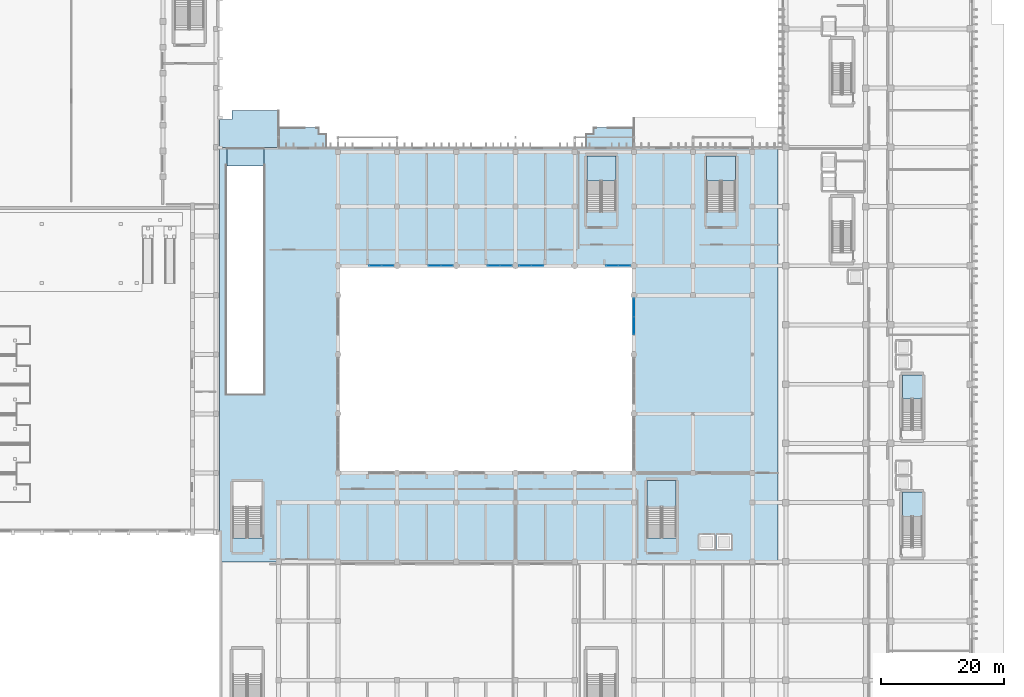
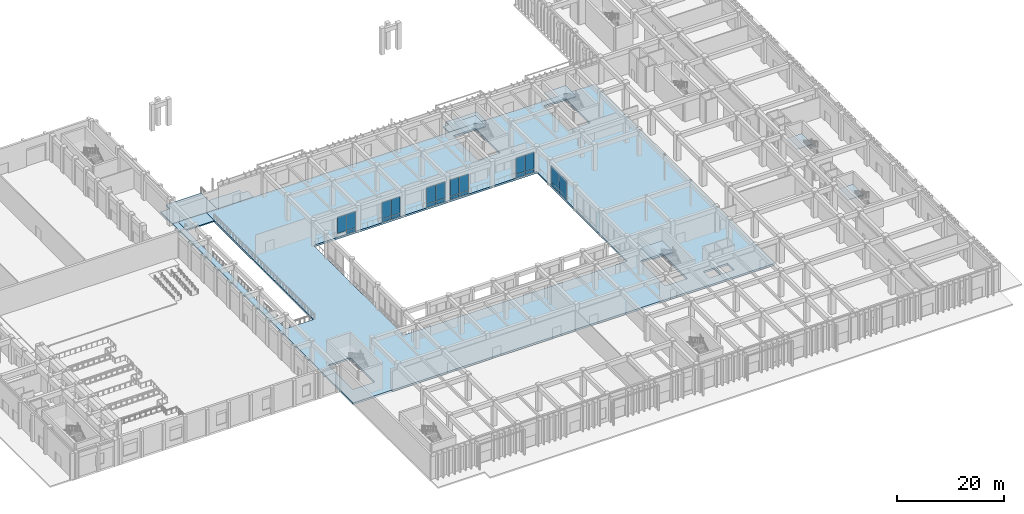
# One storey, part 39 of 87: 23 plates, 10 slabs, 11 elements without a shape of their own.
"""IFC4 building model written with IfcOpenShell, lengths in metres."""

from ifc_helpers import new_model, si_unit, direction, frame, origin, origin_2d, place, context, subcontext, project, spatial, polyline, rectangle, outline, extrude, material, layer, layer_set, type_object, element, aggregate, save


model = new_model("IFC4")

# Units and contexts
model_context = context("Model", 3, precision=1e-05, world=origin(), true_north=direction((0.0, 1.0)))
body_context = subcontext(model_context, "Body", "Model", "MODEL_VIEW")
ifc_project = project(units=[si_unit("LENGTHUNIT", "METRE"), si_unit("AREAUNIT", "SQUARE_METRE"), si_unit("VOLUMEUNIT", "CUBIC_METRE"), si_unit("PLANEANGLEUNIT", "RADIAN"), si_unit("MASSUNIT", "GRAM", prefix="KILO")], contexts=[model_context])

# Site, building, storey
site_placement = place(None, origin())
site = spatial("IfcSite", under=ifc_project, at=site_placement, CompositionType="ELEMENT")
building_placement = place(site_placement, origin())
building = spatial("IfcBuilding", under=site, at=building_placement, Name="Nakhvara Creek Congress Hotel", CompositionType="ELEMENT")
storey_placement = place(building_placement, origin())
storey = spatial("IfcBuildingStorey", under=building, at=storey_placement, Name="L00", CompositionType="ELEMENT", Elevation=0.0)

# Curtain wall, plates
ifc_material_1 = material(Name="Bronze-anodised aluminium AW-6063-T6 and double-silver low-E glass", Category="aluminium")
ifc_layer_1 = layer(ifc_material_1, 0.199951171875)
ifc_layer_set_1 = layer_set([ifc_layer_1], Name="Bronze-anodised aluminium AW-6063-T6 and double-silver low-E glass")
curtain_wall_type = type_object("IfcCurtainWallType", Name="CW-POD-STICK", PredefinedType="NOTDEFINED", material=ifc_layer_set_1)
curtain_wall_1_placement = place(storey_placement, origin())
curtain_wall_1 = element("IfcCurtainWall", 1, at=curtain_wall_1_placement, inside=storey, type_object=curtain_wall_type, Name="Curtain Wall CW002", PredefinedType="NOTDEFINED")
ifc_material_2 = material(Name="Double-silver solar-control low-E insulated glass", Category="glass")
plate_type = type_object("IfcPlateType", Name="PNL-GLZ-240X320", PredefinedType="CURTAIN_PANEL", material=ifc_material_2)
plate_1_placement = place(storey_placement, frame((84.85498046875, 76.800048828125, 0.0751953125), z_axis=(0.0, 0.0, 1.0), x_axis=(-1.0, 0.0, 0.0)))
plate_1 = element("IfcPlate", 2, at=plate_1_placement, type_object=plate_type, Name="CW002 panel 1.1", PredefinedType="CURTAIN_PANEL", context=body_context, shape_type="SweptSolid", body=[
    extrude(rectangle(XDim=1.909912109375, YDim=0.031982421875, at=origin_2d()), origin(), (0.0, 0.0, 1.0), 0.737548828125),
])
plate_2_placement = place(storey_placement, frame((84.85498046875, 76.800048828125, 0.887451171875), z_axis=(0.0, 0.0, 1.0), x_axis=(-1.0, 0.0, 0.0)))
plate_2 = element("IfcPlate", 3, at=plate_2_placement, type_object=plate_type, Name="CW002 panel 1.2", PredefinedType="CURTAIN_PANEL", context=body_context, shape_type="SweptSolid", body=[
    extrude(rectangle(XDim=1.909912109375, YDim=0.031982421875, at=origin_2d()), origin(), (0.0, 0.0, 1.0), 3.7294921875),
])
plate_3_placement = place(storey_placement, frame((82.8701171875, 76.800048828125, 0.887451171875), z_axis=(0.0, 0.0, 1.0), x_axis=(-1.0, 0.0, 0.0)))
plate_3 = element("IfcPlate", 4, at=plate_3_placement, type_object=plate_type, Name="CW002 panel 2.2", PredefinedType="CURTAIN_PANEL", context=body_context, shape_type="SweptSolid", body=[
    extrude(rectangle(XDim=1.909912109375, YDim=0.031982421875, at=origin_2d()), origin(), (0.0, 0.0, 1.0), 3.7294921875),
])
aggregate(curtain_wall_1, [plate_1, plate_2, plate_3])

curtain_wall_2_placement = place(storey_placement, origin())
curtain_wall_2 = element("IfcCurtainWall", 5, at=curtain_wall_2_placement, inside=storey, type_object=curtain_wall_type, Name="Curtain Wall CW004", PredefinedType="NOTDEFINED")
plate_4_placement = place(storey_placement, frame((94.455078125, 76.800048828125, 0.0751953125), z_axis=(0.0, 0.0, 1.0), x_axis=(-1.0, 0.0, 0.0)))
plate_4 = element("IfcPlate", 6, at=plate_4_placement, type_object=plate_type, Name="CW004 panel 1.1", PredefinedType="CURTAIN_PANEL", context=body_context, shape_type="SweptSolid", body=[
    extrude(rectangle(XDim=1.909912109375, YDim=0.031982421875, at=origin_2d()), origin(), (0.0, 0.0, 1.0), 0.737548828125),
])
plate_5_placement = place(storey_placement, frame((94.455078125, 76.800048828125, 0.887451171875), z_axis=(0.0, 0.0, 1.0), x_axis=(-1.0, 0.0, 0.0)))
plate_5 = element("IfcPlate", 7, at=plate_5_placement, type_object=plate_type, Name="CW004 panel 1.2", PredefinedType="CURTAIN_PANEL", context=body_context, shape_type="SweptSolid", body=[
    extrude(rectangle(XDim=1.909912109375, YDim=0.031982421875, at=origin_2d()), origin(), (0.0, 0.0, 1.0), 3.7294921875),
])
plate_6_placement = place(storey_placement, frame((92.469970703125, 76.800048828125, 0.0751953125), z_axis=(0.0, 0.0, 1.0), x_axis=(-1.0, 0.0, 0.0)))
plate_6 = element("IfcPlate", 8, at=plate_6_placement, type_object=plate_type, Name="CW004 panel 2.1", PredefinedType="CURTAIN_PANEL", context=body_context, shape_type="SweptSolid", body=[
    extrude(rectangle(XDim=1.909912109375, YDim=0.031982421875, at=origin_2d()), origin(), (0.0, 0.0, 1.0), 0.737548828125),
])
plate_7_placement = place(storey_placement, frame((92.469970703125, 76.800048828125, 0.887451171875), z_axis=(0.0, 0.0, 1.0), x_axis=(-1.0, 0.0, 0.0)))
plate_7 = element("IfcPlate", 9, at=plate_7_placement, type_object=plate_type, Name="CW004 panel 2.2", PredefinedType="CURTAIN_PANEL", context=body_context, shape_type="SweptSolid", body=[
    extrude(rectangle(XDim=1.909912109375, YDim=0.031982421875, at=origin_2d()), origin(), (0.0, 0.0, 1.0), 3.7294921875),
])
aggregate(curtain_wall_2, [plate_4, plate_5, plate_6, plate_7])

curtain_wall_3_placement = place(storey_placement, origin())
curtain_wall_3 = element("IfcCurtainWall", 10, at=curtain_wall_3_placement, inside=storey, type_object=curtain_wall_type, Name="Curtain Wall CW006", PredefinedType="NOTDEFINED")
plate_8_placement = place(storey_placement, frame((104.054931640625, 76.800048828125, 0.0751953125), z_axis=(0.0, 0.0, 1.0), x_axis=(-1.0, 0.0, 0.0)))
plate_8 = element("IfcPlate", 11, at=plate_8_placement, type_object=plate_type, Name="CW006 panel 1.1", PredefinedType="CURTAIN_PANEL", context=body_context, shape_type="SweptSolid", body=[
    extrude(rectangle(XDim=1.909912109375, YDim=0.031982421875, at=origin_2d()), origin(), (0.0, 0.0, 1.0), 0.737548828125),
])
plate_9_placement = place(storey_placement, frame((104.054931640625, 76.800048828125, 0.887451171875), z_axis=(0.0, 0.0, 1.0), x_axis=(-1.0, 0.0, 0.0)))
plate_9 = element("IfcPlate", 12, at=plate_9_placement, type_object=plate_type, Name="CW006 panel 1.2", PredefinedType="CURTAIN_PANEL", context=body_context, shape_type="SweptSolid", body=[
    extrude(rectangle(XDim=1.909912109375, YDim=0.031982421875, at=origin_2d()), origin(), (0.0, 0.0, 1.0), 3.7294921875),
])
plate_10_placement = place(storey_placement, frame((102.070068359375, 76.800048828125, 0.0751953125), z_axis=(0.0, 0.0, 1.0), x_axis=(-1.0, 0.0, 0.0)))
plate_10 = element("IfcPlate", 13, at=plate_10_placement, type_object=plate_type, Name="CW006 panel 2.1", PredefinedType="CURTAIN_PANEL", context=body_context, shape_type="SweptSolid", body=[
    extrude(rectangle(XDim=1.909912109375, YDim=0.031982421875, at=origin_2d()), origin(), (0.0, 0.0, 1.0), 0.737548828125),
])
plate_11_placement = place(storey_placement, frame((102.070068359375, 76.800048828125, 0.887451171875), z_axis=(0.0, 0.0, 1.0), x_axis=(-1.0, 0.0, 0.0)))
plate_11 = element("IfcPlate", 14, at=plate_11_placement, type_object=plate_type, Name="CW006 panel 2.2", PredefinedType="CURTAIN_PANEL", context=body_context, shape_type="SweptSolid", body=[
    extrude(rectangle(XDim=1.909912109375, YDim=0.031982421875, at=origin_2d()), origin(), (0.0, 0.0, 1.0), 3.7294921875),
])
aggregate(curtain_wall_3, [plate_8, plate_9, plate_10, plate_11])

curtain_wall_4_placement = place(storey_placement, origin())
curtain_wall_4 = element("IfcCurtainWall", 15, at=curtain_wall_4_placement, inside=storey, type_object=curtain_wall_type, Name="Curtain Wall CW008", PredefinedType="NOTDEFINED")
plate_12_placement = place(storey_placement, frame((109.1298828125, 76.800048828125, 0.0751953125), z_axis=(0.0, 0.0, 1.0), x_axis=(-1.0, 0.0, 0.0)))
plate_12 = element("IfcPlate", 16, at=plate_12_placement, type_object=plate_type, Name="CW008 panel 1.1", PredefinedType="CURTAIN_PANEL", context=body_context, shape_type="SweptSolid", body=[
    extrude(rectangle(XDim=1.909912109375, YDim=0.031982421875, at=origin_2d()), origin(), (0.0, 0.0, 1.0), 0.737548828125),
])
plate_13_placement = place(storey_placement, frame((109.1298828125, 76.800048828125, 0.887451171875), z_axis=(0.0, 0.0, 1.0), x_axis=(-1.0, 0.0, 0.0)))
plate_13 = element("IfcPlate", 17, at=plate_13_placement, type_object=plate_type, Name="CW008 panel 1.2", PredefinedType="CURTAIN_PANEL", context=body_context, shape_type="SweptSolid", body=[
    extrude(rectangle(XDim=1.909912109375, YDim=0.031982421875, at=origin_2d()), origin(), (0.0, 0.0, 1.0), 3.7294921875),
])
plate_14_placement = place(storey_placement, frame((107.14501953125, 76.800048828125, 0.0751953125), z_axis=(0.0, 0.0, 1.0), x_axis=(-1.0, 0.0, 0.0)))
plate_14 = element("IfcPlate", 18, at=plate_14_placement, type_object=plate_type, Name="CW008 panel 2.1", PredefinedType="CURTAIN_PANEL", context=body_context, shape_type="SweptSolid", body=[
    extrude(rectangle(XDim=1.909912109375, YDim=0.031982421875, at=origin_2d()), origin(), (0.0, 0.0, 1.0), 0.737548828125),
])
plate_15_placement = place(storey_placement, frame((107.14501953125, 76.800048828125, 0.887451171875), z_axis=(0.0, 0.0, 1.0), x_axis=(-1.0, 0.0, 0.0)))
plate_15 = element("IfcPlate", 19, at=plate_15_placement, type_object=plate_type, Name="CW008 panel 2.2", PredefinedType="CURTAIN_PANEL", context=body_context, shape_type="SweptSolid", body=[
    extrude(rectangle(XDim=1.909912109375, YDim=0.031982421875, at=origin_2d()), origin(), (0.0, 0.0, 1.0), 3.7294921875),
])
aggregate(curtain_wall_4, [plate_12, plate_13, plate_14, plate_15])

curtain_wall_5_placement = place(storey_placement, origin())
curtain_wall_5 = element("IfcCurtainWall", 20, at=curtain_wall_5_placement, inside=storey, type_object=curtain_wall_type, Name="Curtain Wall CW010", PredefinedType="NOTDEFINED")
plate_16_placement = place(storey_placement, frame((123.2548828125, 76.800048828125, 0.0751953125), z_axis=(0.0, 0.0, 1.0), x_axis=(-1.0, 0.0, 0.0)))
plate_16 = element("IfcPlate", 21, at=plate_16_placement, type_object=plate_type, Name="CW010 panel 1.1", PredefinedType="CURTAIN_PANEL", context=body_context, shape_type="SweptSolid", body=[
    extrude(rectangle(XDim=1.909912109375, YDim=0.031982421875, at=origin_2d()), origin(), (0.0, 0.0, 1.0), 0.737548828125),
])
plate_17_placement = place(storey_placement, frame((123.2548828125, 76.800048828125, 0.887451171875), z_axis=(0.0, 0.0, 1.0), x_axis=(-1.0, 0.0, 0.0)))
plate_17 = element("IfcPlate", 22, at=plate_17_placement, type_object=plate_type, Name="CW010 panel 1.2", PredefinedType="CURTAIN_PANEL", context=body_context, shape_type="SweptSolid", body=[
    extrude(rectangle(XDim=1.909912109375, YDim=0.031982421875, at=origin_2d()), origin(), (0.0, 0.0, 1.0), 3.7294921875),
])
plate_18_placement = place(storey_placement, frame((121.27001953125, 76.800048828125, 0.0751953125), z_axis=(0.0, 0.0, 1.0), x_axis=(-1.0, 0.0, 0.0)))
plate_18 = element("IfcPlate", 23, at=plate_18_placement, type_object=plate_type, Name="CW010 panel 2.1", PredefinedType="CURTAIN_PANEL", context=body_context, shape_type="SweptSolid", body=[
    extrude(rectangle(XDim=1.909912109375, YDim=0.031982421875, at=origin_2d()), origin(), (0.0, 0.0, 1.0), 0.737548828125),
])
plate_19_placement = place(storey_placement, frame((121.27001953125, 76.800048828125, 0.887451171875), z_axis=(0.0, 0.0, 1.0), x_axis=(-1.0, 0.0, 0.0)))
plate_19 = element("IfcPlate", 24, at=plate_19_placement, type_object=plate_type, Name="CW010 panel 2.2", PredefinedType="CURTAIN_PANEL", context=body_context, shape_type="SweptSolid", body=[
    extrude(rectangle(XDim=1.909912109375, YDim=0.031982421875, at=origin_2d()), origin(), (0.0, 0.0, 1.0), 3.7294921875),
])
aggregate(curtain_wall_5, [plate_16, plate_17, plate_18, plate_19])

curtain_wall_6_placement = place(storey_placement, origin())
curtain_wall_6 = element("IfcCurtainWall", 25, at=curtain_wall_6_placement, inside=storey, type_object=curtain_wall_type, Name="Curtain Wall CW016", PredefinedType="NOTDEFINED")
plate_20_placement = place(storey_placement, frame((124.800048828125, 67.090087890625, 0.0751953125), z_axis=(0.0, 0.0, 1.0), x_axis=(0.0, 1.0, 0.0)))
plate_20 = element("IfcPlate", 26, at=plate_20_placement, type_object=plate_type, Name="CW016 panel 1.1", PredefinedType="CURTAIN_PANEL", context=body_context, shape_type="SweptSolid", body=[
    extrude(rectangle(XDim=2.830078125, YDim=0.031982421875, at=origin_2d()), origin(), (0.0, 0.0, 1.0), 0.737548828125),
])
plate_21_placement = place(storey_placement, frame((124.800048828125, 67.090087890625, 0.887451171875), z_axis=(0.0, 0.0, 1.0), x_axis=(0.0, 1.0, 0.0)))
plate_21 = element("IfcPlate", 27, at=plate_21_placement, type_object=plate_type, Name="CW016 panel 1.2", PredefinedType="CURTAIN_PANEL", context=body_context, shape_type="SweptSolid", body=[
    extrude(rectangle(XDim=2.830078125, YDim=0.031982421875, at=origin_2d()), origin(), (0.0, 0.0, 1.0), 3.7294921875),
])
plate_22_placement = place(storey_placement, frame((124.800048828125, 69.9951171875, 0.0751953125), z_axis=(0.0, 0.0, 1.0), x_axis=(0.0, 1.0, 0.0)))
plate_22 = element("IfcPlate", 28, at=plate_22_placement, type_object=plate_type, Name="CW016 panel 2.1", PredefinedType="CURTAIN_PANEL", context=body_context, shape_type="SweptSolid", body=[
    extrude(rectangle(XDim=2.830078125, YDim=0.031982421875, at=origin_2d()), origin(), (0.0, 0.0, 1.0), 0.737548828125),
])
plate_23_placement = place(storey_placement, frame((124.800048828125, 69.9951171875, 0.887451171875), z_axis=(0.0, 0.0, 1.0), x_axis=(0.0, 1.0, 0.0)))
plate_23 = element("IfcPlate", 29, at=plate_23_placement, type_object=plate_type, Name="CW016 panel 2.2", PredefinedType="CURTAIN_PANEL", context=body_context, shape_type="SweptSolid", body=[
    extrude(rectangle(XDim=2.830078125, YDim=0.031982421875, at=origin_2d()), origin(), (0.0, 0.0, 1.0), 3.7294921875),
])
aggregate(curtain_wall_6, [plate_20, plate_21, plate_22, plate_23])

# Slabs
ifc_material_3 = material(Name="Concrete C40/50", Category="concrete")
ifc_layer_2 = layer(ifc_material_3, 0.320068359375)
ifc_layer_set_2 = layer_set([ifc_layer_2], Name="Concrete C40/50")
slab_type_1 = type_object("IfcSlabType", Name="SL-EXT-320", PredefinedType="FLOOR", material=ifc_layer_set_2)
slab_1_placement = place(storey_placement, frame((0.0, 0.0, -0.320068359375)))
element("IfcSlab", 30, at=slab_1_placement, inside=storey, type_object=slab_type_1, Name="Outdoor Terrace Slab SLB-L00-FOREC-PROM-W", PredefinedType="FLOOR", context=body_context, shape_type="SweptSolid", body=[
    extrude(outline(polyline([(67.199951171875, 96.0), (75.0, 96.0), (75.0, 98.199951171875), (73.800048828125, 98.199951171875), (73.800048828125, 99.199951171875), (67.199951171875, 99.199951171875), (67.199951171875, 96.0)])), origin(), (0.0, 0.0, 1.0), 0.320068359375),
])
slab_2_placement = place(storey_placement, frame((0.0, 0.0, -0.320068359375)))
element("IfcSlab", 31, at=slab_2_placement, inside=storey, type_object=slab_type_1, Name="Outdoor Terrace Slab SLB-L00-FOREC-PROM-E", PredefinedType="FLOOR", context=body_context, shape_type="SweptSolid", body=[
    extrude(outline(polyline([(117.0, 96.0), (124.800048828125, 96.0), (124.800048828125, 99.199951171875), (118.199951171875, 99.199951171875), (118.199951171875, 98.199951171875), (117.0, 98.199951171875), (117.0, 96.0)])), origin(), (0.0, 0.0, 1.0), 0.320068359375),
])
slab_3_placement = place(storey_placement, frame((0.0, 0.0, -0.320068359375)))
element("IfcSlab", 32, at=slab_3_placement, inside=storey, type_object=slab_type_1, Name="Outdoor Terrace Slab SLB-L00-APRON-N2", PredefinedType="FLOOR", context=body_context, shape_type="SweptSolid", body=[
    extrude(outline(polyline([(57.60009765625, 96.0), (67.199951171875, 96.0), (67.199951171875, 102.0), (59.60009765625, 102.0), (59.60009765625, 100.5), (57.60009765625, 100.5), (57.60009765625, 96.0)])), origin(), (0.0, 0.0, 1.0), 0.320068359375),
])
ifc_layer_3 = layer(ifc_material_3, 0.300048828125)
ifc_layer_set_3 = layer_set([ifc_layer_3], Name="Concrete C40/50")
slab_type_2 = type_object("IfcSlabType", Name="SL-FLR-300", PredefinedType="FLOOR", material=ifc_layer_set_3)
slab_4_placement = place(storey_placement, frame((0.0, 0.0, -0.280029296875)))
element("IfcSlab", 33, at=slab_4_placement, inside=storey, type_object=slab_type_2, Name="Vehicle Ramp VR2 Grade Arrival Apron (Concrete C40/50)", PredefinedType="FLOOR", context=body_context, shape_type="SweptSolid", body=[
    extrude(outline(polyline([(58.800048828125, 93.0), (64.800048828125, 93.0), (64.800048828125, 96.0), (58.800048828125, 96.0), (58.800048828125, 93.0)])), origin(), (0.0, 0.0, 1.0), 0.280029296875),
])
ifc_layer_4 = layer(ifc_material_3, 0.419921875)
ifc_layer_set_4 = layer_set([ifc_layer_4], Name="Concrete C40/50")
slab_type_3 = type_object("IfcSlabType", Name="SL-FLR-420", PredefinedType="FLOOR", material=ifc_layer_set_4)
slab_5_placement = place(storey_placement, frame((0.0, 0.0, -0.419921875)))
element("IfcSlab", 34, at=slab_5_placement, inside=storey, type_object=slab_type_3, Name="Structural Slab SLB-L00-V3", PredefinedType="FLOOR", context=body_context, shape_type="SweptSolid", body=[
    extrude(outline(polyline([(57.60009765625, 96.0), (58.794921875, 96.0), (58.794921875, 55.9951171875), (64.804931640625, 55.9951171875), (64.804931640625, 96.0), (148.199951171875, 96.0), (148.199951171875, 28.800048828125), (57.60009765625, 28.800048828125), (57.60009765625, 96.0)]), holes=[polyline([(137.800048828125, 33.199951171875), (135.39990234375, 33.199951171875), (135.39990234375, 30.800048828125), (137.800048828125, 30.800048828125), (137.800048828125, 33.199951171875)]), polyline([(140.60009765625, 30.800048828125), (140.60009765625, 33.199951171875), (138.199951171875, 33.199951171875), (138.199951171875, 30.800048828125), (140.60009765625, 30.800048828125)]), polyline([(64.47998046875, 41.800048828125), (59.77001953125, 41.800048828125), (59.77001953125, 32.679931640625), (64.47998046875, 32.679931640625), (64.47998046875, 41.800048828125)]), polyline([(131.659912109375, 42.0), (126.949951171875, 42.0), (126.949951171875, 32.679931640625), (131.659912109375, 32.679931640625), (131.659912109375, 42.0)]), polyline([(124.800048828125, 43.199951171875), (124.800048828125, 76.800048828125), (76.800048828125, 76.800048828125), (76.800048828125, 43.199951171875), (124.800048828125, 43.199951171875)]), polyline([(121.8798828125, 94.60009765625), (117.169921875, 94.60009765625), (117.169921875, 85.47998046875), (121.8798828125, 85.47998046875), (121.8798828125, 94.60009765625)]), polyline([(141.280029296875, 94.60009765625), (136.570068359375, 94.60009765625), (136.570068359375, 85.47998046875), (141.280029296875, 85.47998046875), (141.280029296875, 94.60009765625)])]), origin(), (0.0, 0.0, 1.0), 0.419921875),
])

# Stair, slab
stair_type_1 = type_object("IfcStairType", Name="ST-CORE-160", PredefinedType="HALF_TURN_STAIR", material=ifc_material_3)
stair_1_placement = place(storey_placement, origin())
stair_1 = element("IfcStair", 35, at=stair_1_placement, inside=storey, type_object=stair_type_1, Name="L00 Protected Exit Stair ST03", PredefinedType="HALF_TURN_STAIR")
ifc_layer_5 = layer(ifc_material_3, 0.199951171875)
ifc_layer_set_5 = layer_set([ifc_layer_5], Name="Concrete C40/50")
slab_type_4 = type_object("IfcSlabType", Name="SL-LAND-200", PredefinedType="LANDING", material=ifc_layer_set_5)
slab_6_placement = place(storey_placement, frame((0.0, 0.0, 2.800048828125)))
slab_6 = element("IfcSlab", 36, at=slab_6_placement, type_object=slab_type_4, Name="ST03 landing 1", PredefinedType="LANDING", context=body_context, shape_type="SweptSolid", body=[
    extrude(outline(polyline([(171.550048828125, 36.179931640625), (171.550048828125, 40.10009765625), (168.320068359375, 40.10009765625), (168.320068359375, 36.179931640625), (171.550048828125, 36.179931640625)])), origin(), (0.0, 0.0, 1.0), 0.199951171875),
])
aggregate(stair_1, [slab_6])

stair_2_placement = place(storey_placement, origin())
stair_2 = element("IfcStair", 37, at=stair_2_placement, inside=storey, type_object=stair_type_1, Name="L00 Protected Exit Stair ST04", PredefinedType="HALF_TURN_STAIR")
slab_7_placement = place(storey_placement, frame((0.0, 0.0, 2.800048828125)))
slab_7 = element("IfcSlab", 38, at=slab_7_placement, type_object=slab_type_4, Name="ST04 landing 1", PredefinedType="LANDING", context=body_context, shape_type="SweptSolid", body=[
    extrude(outline(polyline([(171.550048828125, 55.179931640625), (171.550048828125, 59.10009765625), (168.320068359375, 59.10009765625), (168.320068359375, 55.179931640625), (171.550048828125, 55.179931640625)])), origin(), (0.0, 0.0, 1.0), 0.199951171875),
])
aggregate(stair_2, [slab_7])

stair_type_2 = type_object("IfcStairType", Name="ST-CORE-230", PredefinedType="HALF_TURN_STAIR", material=ifc_material_3)
stair_3_placement = place(storey_placement, origin())
stair_3 = element("IfcStair", 39, at=stair_3_placement, inside=storey, type_object=stair_type_2, Name="L00 Protected Exit Stair ST06", PredefinedType="HALF_TURN_STAIR")
slab_8_placement = place(storey_placement, frame((0.0, 0.0, 2.800048828125)))
slab_8 = element("IfcSlab", 40, at=slab_8_placement, type_object=slab_type_4, Name="ST06 landing 1", PredefinedType="LANDING", context=body_context, shape_type="SweptSolid", body=[
    extrude(outline(polyline([(131.659912109375, 37.719970703125), (131.659912109375, 42.0), (126.949951171875, 42.0), (126.949951171875, 37.719970703125), (131.659912109375, 37.719970703125)])), origin(), (0.0, 0.0, 1.0), 0.199951171875),
])
aggregate(stair_3, [slab_8])

stair_4_placement = place(storey_placement, origin())
stair_4 = element("IfcStair", 41, at=stair_4_placement, inside=storey, type_object=stair_type_2, Name="L00 Protected Exit Stair ST09", PredefinedType="HALF_TURN_STAIR")
slab_9_placement = place(storey_placement, frame((0.0, 0.0, 2.800048828125)))
slab_9 = element("IfcSlab", 42, at=slab_9_placement, type_object=slab_type_4, Name="ST09 landing 1", PredefinedType="LANDING", context=body_context, shape_type="SweptSolid", body=[
    extrude(outline(polyline([(121.8798828125, 90.52001953125), (121.8798828125, 94.60009765625), (117.169921875, 94.60009765625), (117.169921875, 90.52001953125), (121.8798828125, 90.52001953125)])), origin(), (0.0, 0.0, 1.0), 0.199951171875),
])
aggregate(stair_4, [slab_9])

stair_5_placement = place(storey_placement, origin())
stair_5 = element("IfcStair", 43, at=stair_5_placement, inside=storey, type_object=stair_type_2, Name="L00 Protected Exit Stair ST10", PredefinedType="HALF_TURN_STAIR")
slab_10_placement = place(storey_placement, frame((0.0, 0.0, 2.800048828125)))
slab_10 = element("IfcSlab", 44, at=slab_10_placement, type_object=slab_type_4, Name="ST10 landing 1", PredefinedType="LANDING", context=body_context, shape_type="SweptSolid", body=[
    extrude(outline(polyline([(141.280029296875, 90.52001953125), (141.280029296875, 94.60009765625), (136.570068359375, 94.60009765625), (136.570068359375, 90.52001953125), (141.280029296875, 90.52001953125)])), origin(), (0.0, 0.0, 1.0), 0.199951171875),
])
aggregate(stair_5, [slab_10])

save(model, "model.ifc")
